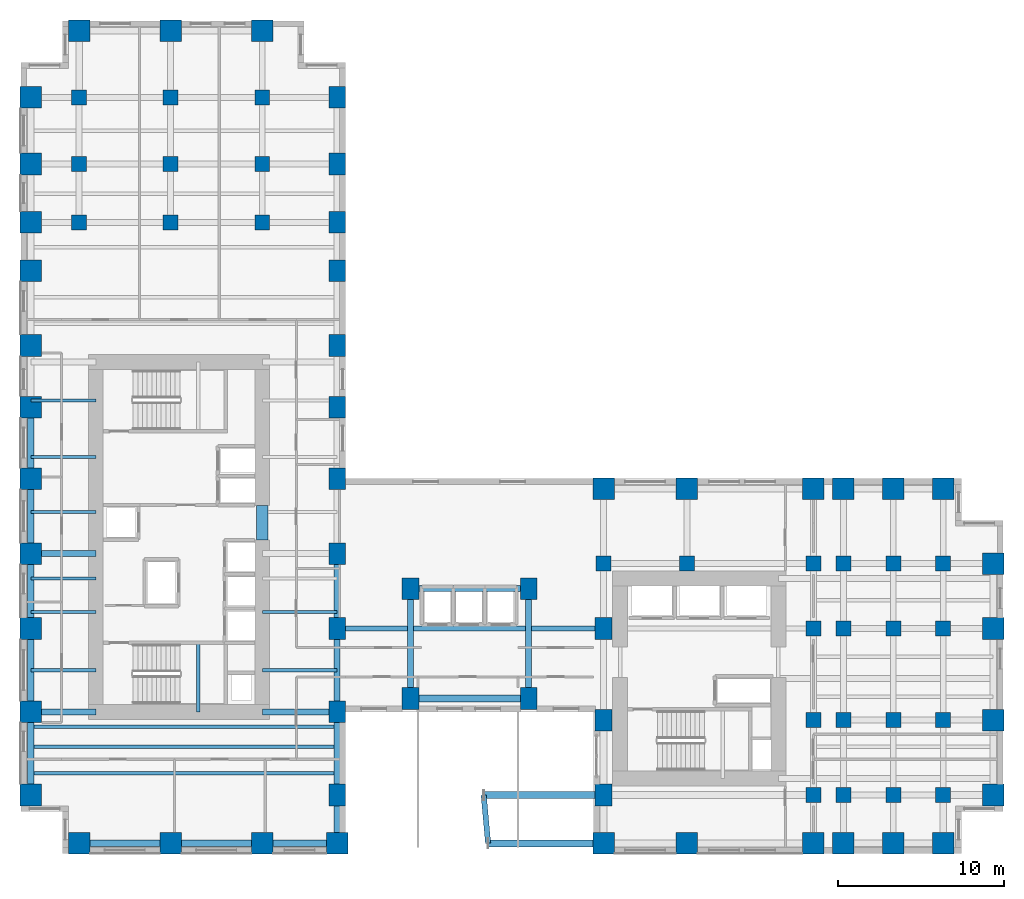
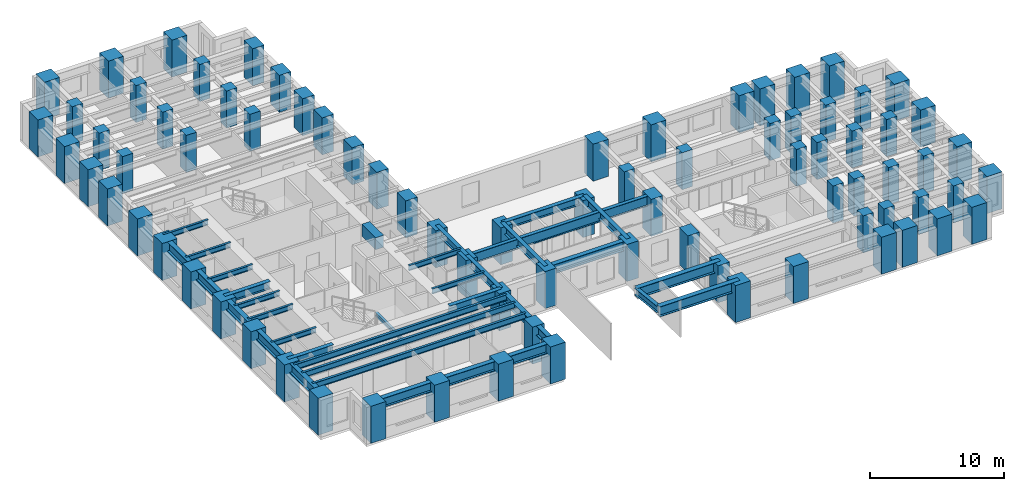
# One storey, part 1 of 14: 79 columns, 36 beams.
"""IFC4 building model written with IfcOpenShell, lengths in metres."""

import ifcopenshell
import ifcopenshell.guid

model = None  # the IFC model being written
_history = None  # IfcOwnerHistory: only IFC2X3 demands one
_inside = {}  # id of a spatial element -> (the spatial element, [elements in it])
_under = {}  # id of a project, library or spatial element -> (it, [spatial elements below it])
_declared = {}  # id of a project -> (the project, [libraries it declares])
_typed = {}  # id of a type object -> (the type object, [elements of that type])
_made_of = {}  # id of a material, layer set ... -> (it, [elements and type objects made of it])


def new_model(schema):
    """Start an empty IFC model of exactly this schema.

    Asked for "IFC4X3", IfcOpenShell would pick the latest addendum, in which some entities
    have other attributes; the version numbers below select the first issue.
    IFC2X3 requires an IfcOwnerHistory on every rooted entity: one is made here for all.
    """
    global model, _history
    if schema == "IFC4X3":
        model = ifcopenshell.file(schema_version=(4, 3, 0, 0))
    else:
        model = ifcopenshell.file(schema=schema)
    _inside.clear()
    _under.clear()
    _declared.clear()
    _typed.clear()
    _made_of.clear()
    _history = None
    if model.schema == "IFC2X3":
        org = make("IfcOrganization", Name="unknown")
        user = make(
            "IfcPersonAndOrganization",
            ThePerson=make("IfcPerson", FamilyName="unknown"),
            TheOrganization=org,
        )
        app = make(
            "IfcApplication",
            ApplicationDeveloper=org,
            Version="unknown",
            ApplicationFullName="unknown",
            ApplicationIdentifier="unknown",
        )
        _history = make(
            "IfcOwnerHistory",
            OwningUser=user,
            OwningApplication=app,
            ChangeAction="ADDED",
            CreationDate=0,
        )
    return model


def make(cls, **values):
    """One entity of the class cls with the attributes given. An attribute that is None is left unset."""
    return model.create_entity(
        cls, **{name: value for name, value in values.items() if value is not None}
    )


def rooted(cls, **values):
    """An entity with a GlobalId (a new one), such as an element, a storey or a relation."""
    return make(cls, GlobalId=ifcopenshell.guid.new(), OwnerHistory=_history, **values)


def si_unit(unit_type, name, prefix=None):
    """IfcSIUnit, for example si_unit("LENGTHUNIT", "METRE", prefix="MILLI")."""
    return make("IfcSIUnit", UnitType=unit_type, Prefix=prefix, Name=name)


def assignment(units):
    """IfcUnitAssignment: the units of a project."""
    return None if units is None else make("IfcUnitAssignment", Units=units)


def point(xyz):
    """IfcCartesianPoint."""
    return None if xyz is None else make("IfcCartesianPoint", Coordinates=xyz)


def direction(xyz):
    """IfcDirection."""
    return None if xyz is None else make("IfcDirection", DirectionRatios=xyz)


def frame(location, z_axis=None, x_axis=None):
    """IfcAxis2Placement3D, a coordinate frame: its origin and axes. An axis left out is left unset."""
    return make(
        "IfcAxis2Placement3D",
        Location=point(location),
        Axis=direction(z_axis),
        RefDirection=direction(x_axis),
    )


def frame_2d(location, x_axis=None):
    """IfcAxis2Placement2D, a coordinate frame in the plane: its origin and x axis."""
    return make(
        "IfcAxis2Placement2D", Location=point(location), RefDirection=direction(x_axis)
    )


def origin():
    """The frame at (0, 0, 0) with its axes left unset."""
    return frame((0.0, 0.0, 0.0))


def origin_2d():
    """The frame at (0, 0) in the plane with its x axis left unset."""
    return frame_2d((0.0, 0.0))


def place(relative_to, where):
    """IfcLocalPlacement: puts the frame where relative to a parent placement (None: the world)."""
    return make(
        "IfcLocalPlacement", PlacementRelTo=relative_to, RelativePlacement=where
    )


def context(
    kind, dimensions, precision=None, world=None, true_north=None, identifier=None
):
    """IfcGeometricRepresentationContext, for example the 3D "Model" context."""
    return make(
        "IfcGeometricRepresentationContext",
        ContextIdentifier=identifier,
        ContextType=kind,
        CoordinateSpaceDimension=dimensions,
        Precision=precision,
        WorldCoordinateSystem=world,
        TrueNorth=true_north,
    )


def subcontext(parent, identifier, kind, view, scale=None):
    """IfcGeometricRepresentationSubContext, for example "Body" below "Model"."""
    return make(
        "IfcGeometricRepresentationSubContext",
        ContextIdentifier=identifier,
        ContextType=kind,
        ParentContext=parent,
        TargetScale=scale,
        TargetView=view,
    )


def project(units=None, contexts=None):
    """IfcProject with its units and contexts."""
    return rooted(
        "IfcProject",
        Name="project",
        RepresentationContexts=contexts,
        UnitsInContext=assignment(units),
    )


def spatial(cls, under=None, at=None, **own):
    """A site, building, storey or space (cls), placed at a placement, below another one or the project."""
    s = rooted(cls, ObjectPlacement=at, **own)
    if under is not None:
        _under.setdefault(under.id(), (under, []))[1].append(s)
    return s


def profile(cls, at=None, kind="AREA", **sizes):
    """A parametric profile (cls). Its sizes go by their IFC names, for example OverallWidth=200.0."""
    return make(cls, ProfileType=kind, Position=at, **sizes)


def rectangle(**sizes):
    """IfcRectangleProfileDef."""
    return profile("IfcRectangleProfileDef", **sizes)


def i_section(**sizes):
    """IfcIShapeProfileDef."""
    return profile("IfcIShapeProfileDef", **sizes)


def extrude(swept, where, along, depth):
    """IfcExtrudedAreaSolid: the profile swept, set in the frame where, extruded along a direction by depth."""
    return make(
        "IfcExtrudedAreaSolid",
        SweptArea=swept,
        Position=where,
        ExtrudedDirection=direction(along),
        Depth=depth,
    )


def shape(context_of_items, identifier, shape_type, items):
    """IfcShapeRepresentation: the items that make up one representation, for example the "Body"."""
    return make(
        "IfcShapeRepresentation",
        ContextOfItems=context_of_items,
        RepresentationIdentifier=identifier,
        RepresentationType=shape_type,
        Items=items,
    )


def source(mapping_origin, context_of_items, identifier, shape_type, items):
    """IfcRepresentationMap: a shape defined once, which mapped items show again and again."""
    return make(
        "IfcRepresentationMap",
        MappingOrigin=mapping_origin,
        MappedRepresentation=shape(context_of_items, identifier, shape_type, items),
    )


def transform(
    local_origin,
    x_axis=None,
    y_axis=None,
    z_axis=None,
    scale=None,
    scale2=None,
    scale3=None,
    uniform=True,
):
    """IfcCartesianTransformationOperator3D, or its non-uniform kind. x_axis, y_axis, z_axis: its Axis1, 2, 3."""
    if uniform:
        return make(
            "IfcCartesianTransformationOperator3D",
            Axis1=direction(x_axis),
            Axis2=direction(y_axis),
            LocalOrigin=point(local_origin),
            Scale=scale,
            Axis3=direction(z_axis),
        )
    return make(
        "IfcCartesianTransformationOperator3DnonUniform",
        Axis1=direction(x_axis),
        Axis2=direction(y_axis),
        LocalOrigin=point(local_origin),
        Scale=scale,
        Axis3=direction(z_axis),
        Scale2=scale2,
        Scale3=scale3,
    )


def mapped(mapping_source, mapping_target):
    """IfcMappedItem: shows the shape of a source again, moved by a transform."""
    return make(
        "IfcMappedItem", MappingSource=mapping_source, MappingTarget=mapping_target
    )


def material(Name=None, Category=None):
    """IfcMaterial."""
    return make("IfcMaterial", Name=Name, Category=Category)


def material_profile(
    of_material, cross_section, Name=None, Category=None, Priority=None
):
    """IfcMaterialProfile: a cross section and its material."""
    return make(
        "IfcMaterialProfile",
        Name=Name,
        Material=of_material,
        Profile=cross_section,
        Priority=Priority,
        Category=Category,
    )


def profile_set(profiles, Name=None, composite=None):
    """IfcMaterialProfileSet."""
    return make(
        "IfcMaterialProfileSet",
        Name=Name,
        MaterialProfiles=profiles,
        CompositeProfile=composite,
    )


def made_of(thing, what):
    """Note that an element or type object is made of a material, layer set ...; save() writes the relation."""
    if what is not None:
        _made_of.setdefault(what.id(), (what, []))[1].append(thing)
    return thing


def type_object(cls, material=None, **own):
    """A type object (cls), such as IfcWallType, which elements share."""
    return made_of(rooted(cls, **own), material)


def element(
    cls,
    number,
    at=None,
    inside=None,
    cuts=None,
    type_object=None,
    material=None,
    context=None,
    identifier="Body",
    shape_type=None,
    held_by="IfcProductDefinitionShape",
    body=None,
    shapes=None,
    **own,
):
    """One element of the class cls, such as IfcWall. Its Tag is "e" and its number.

    at: its placement. inside: the storey or other place that contains it. cuts: it is an
    opening in that element (IfcRelVoidsElement). A single representation is given by context,
    identifier, shape_type and body (its items); several are given by shapes. held_by: the class
    of the entity that holds the representations. save() writes the other relations.
    """
    e = rooted(cls, Tag="e%d" % number, ObjectPlacement=at, **own)
    if body is not None:
        shapes = [shape(context, identifier, shape_type, body)]
    if shapes is not None:
        e.Representation = make(held_by, Representations=shapes)
    if inside is not None:
        _inside.setdefault(inside.id(), (inside, []))[1].append(e)
    if cuts is not None:
        rooted(
            "IfcRelVoidsElement", RelatingBuildingElement=cuts, RelatedOpeningElement=e
        )
    if type_object is not None:
        _typed.setdefault(type_object.id(), (type_object, []))[1].append(e)
    return made_of(e, material)


def aggregate(whole, parts):
    """IfcRelAggregates: a whole, such as a stair, and the parts it consists of."""
    return rooted("IfcRelAggregates", RelatingObject=whole, RelatedObjects=parts)


def save(model, path):
    """Write the relations noted so far, then the file.

    IfcRelAggregates (storeys below a building ...), IfcRelContainedInSpatialStructure (elements
    in a storey), IfcRelDefinesByType, IfcRelAssociatesMaterial and IfcRelDeclares: one each for
    every whole, place, type object, material and project.
    """
    for whole, parts in _under.values():
        aggregate(whole, parts)
    for where, things in _inside.values():
        rooted(
            "IfcRelContainedInSpatialStructure",
            RelatedElements=things,
            RelatingStructure=where,
        )
    for kind, things in _typed.values():
        rooted("IfcRelDefinesByType", RelatedObjects=things, RelatingType=kind)
    for what, things in _made_of.values():
        rooted("IfcRelAssociatesMaterial", RelatedObjects=things, RelatingMaterial=what)
    for by, libraries in _declared.values():
        rooted("IfcRelDeclares", RelatingContext=by, RelatedDefinitions=libraries)
    model.write(path)


model = new_model("IFC4")

# Units and contexts
model_context = context("Model", 3, precision=1e-05, world=origin(), true_north=direction((0.0, 1.0)))
body_context = subcontext(model_context, "Body", "Model", "MODEL_VIEW")
ifc_project = project(units=[si_unit("LENGTHUNIT", "METRE"), si_unit("AREAUNIT", "SQUARE_METRE"), si_unit("VOLUMEUNIT", "CUBIC_METRE"), si_unit("PLANEANGLEUNIT", "RADIAN"), si_unit("MASSUNIT", "GRAM", prefix="KILO")], contexts=[model_context])

# Site, building, storey
site_placement = place(None, origin())
site = spatial("IfcSite", under=ifc_project, at=site_placement, CompositionType="ELEMENT")
building_placement = place(site_placement, origin())
building = spatial("IfcBuilding", under=site, at=building_placement, Name="Kharzan Plaza Tower", CompositionType="ELEMENT")
storey_placement = place(building_placement, frame((0.0, 0.0, 58.5)))
storey = spatial("IfcBuildingStorey", under=building, at=storey_placement, Name="L15", CompositionType="ELEMENT", Elevation=58.5)

# Columns
ifc_material_1 = material(Name="Concrete C50/60", Category="concrete")
ifc_material_profile_1 = material_profile(ifc_material_1, rectangle(XDim=0.89990234375, YDim=0.89990234375, at=origin_2d()), Name="RC-IC900x900")
ifc_profile_set_1 = profile_set([ifc_material_profile_1], Name="Concrete C50/60")
column_type_1 = type_object("IfcColumnType", Name="COL-IC900", PredefinedType="COLUMN", material=ifc_profile_set_1)
shared_shape_1 = source(origin(), body_context, "Body", "SweptSolid", [
    extrude(rectangle(XDim=0.89990234375, YDim=0.89990234375, at=origin_2d()), origin(), (0.0, 0.0, 1.0), 3.3798828125),
])
for number, where, z_axis, x_axis, name in (
    (1, (47.60009765625, 13.5, 0.0), (0.0, 0.0, 1.0), (1.0, 0.0, 0.0), "L15 Structural Column TCBI-135"),
    (2, (47.60009765625, 3.5, 0.0), (0.0, 0.0, 1.0), (1.0, 0.0, 0.0), "L15 Structural Column TCBI-35"),
    (3, (47.60009765625, 8.0, 0.0), (0.0, 0.0, 1.0), (1.0, 0.0, 0.0), "L15 Structural Column TCBI-80"),
    (4, (35.0, 17.39990234375, 0.0), (0.0, 0.0, 1.0), (1.0, 0.0, 0.0), "L15 Structural Column TCBN-350-174"),
    (5, (40.0, 17.39990234375, 0.0), (0.0, 0.0, 1.0), (1.0, 0.0, 0.0), "L15 Structural Column TCBN-400-174"),
    (6, (47.60009765625, 17.39990234375, 0.0), (0.0, 0.0, 1.0), (1.0, 0.0, 0.0), "L15 Structural Column TCBN-476-174"),
    (7, (49.39990234375, 13.5, 0.0), (0.0, 0.0, 1.0), (1.0, 0.0, 0.0), "L15 Structural Column TCE-494-135"),
    (8, (49.39990234375, 17.39990234375, 0.0), (0.0, 0.0, 1.0), (1.0, 0.0, 0.0), "L15 Structural Column TCE-494-174"),
    (9, (49.39990234375, 3.5, 0.0), (0.0, 0.0, 1.0), (1.0, 0.0, 0.0), "L15 Structural Column TCE-494-35"),
    (10, (49.39990234375, 8.0, 0.0), (0.0, 0.0, 1.0), (1.0, 0.0, 0.0), "L15 Structural Column TCE-494-80"),
    (11, (52.39990234375, 13.5, 0.0), (0.0, 0.0, 1.0), (1.0, 0.0, 0.0), "L15 Structural Column TCE-524-135"),
    (12, (52.39990234375, 17.39990234375, 0.0), (0.0, 0.0, 1.0), (1.0, 0.0, 0.0), "L15 Structural Column TCE-524-174"),
    (13, (52.39990234375, 3.5, 0.0), (0.0, 0.0, 1.0), (1.0, 0.0, 0.0), "L15 Structural Column TCE-524-35"),
    (14, (52.39990234375, 8.0, 0.0), (0.0, 0.0, 1.0), (1.0, 0.0, 0.0), "L15 Structural Column TCE-524-80"),
    (15, (55.39990234375, 13.5, 0.0), (0.0, 0.0, 1.0), (1.0, 0.0, 0.0), "L15 Structural Column TCE-554-135"),
    (16, (55.39990234375, 17.39990234375, 0.0), (0.0, 0.0, 1.0), (1.0, 0.0, 0.0), "L15 Structural Column TCE-554-174"),
    (17, (55.39990234375, 3.5, 0.0), (0.0, 0.0, 1.0), (1.0, 0.0, 0.0), "L15 Structural Column TCE-554-35"),
    (18, (55.39990234375, 8.0, 0.0), (0.0, 0.0, 1.0), (1.0, 0.0, 0.0), "L15 Structural Column TCE-554-80"),
    (19, (14.5, 37.89990234375, 0.0), (0.0, 0.0, 1.0), (1.0, 0.0, 0.0), "L15 Structural Column TCN-145-379"),
    (20, (14.5, 41.39990234375, 0.0), (0.0, 0.0, 1.0), (1.0, 0.0, 0.0), "L15 Structural Column TCN-145-414"),
    (21, (14.5, 45.39990234375, 0.0), (0.0, 0.0, 1.0), (1.0, 0.0, 0.0), "L15 Structural Column TCN-145-454"),
    (22, (3.5, 37.89990234375, 0.0), (0.0, 0.0, 1.0), (1.0, 0.0, 0.0), "L15 Structural Column TCN-35-379"),
    (23, (3.5, 41.39990234375, 0.0), (0.0, 0.0, 1.0), (1.0, 0.0, 0.0), "L15 Structural Column TCN-35-414"),
    (24, (3.5, 45.39990234375, 0.0), (0.0, 0.0, 1.0), (1.0, 0.0, 0.0), "L15 Structural Column TCN-35-454"),
    (25, (9.0, 37.89990234375, 0.0), (0.0, 0.0, 1.0), (1.0, 0.0, 0.0), "L15 Structural Column TCN-90-379"),
    (26, (9.0, 41.39990234375, 0.0), (0.0, 0.0, 1.0), (1.0, 0.0, 0.0), "L15 Structural Column TCN-90-414"),
    (27, (9.0, 45.39990234375, 0.0), (0.0, 0.0, 1.0), (1.0, 0.0, 0.0), "L15 Structural Column TCN-90-454"),
):
    element("IfcColumn", number, at=place(storey_placement, frame(where, z_axis=z_axis, x_axis=x_axis)), inside=storey, type_object=column_type_1, Name=name, PredefinedType="COLUMN", context=body_context, shape_type="MappedRepresentation", body=[
        mapped(shared_shape_1, transform((0.0, 0.0, 0.0), x_axis=(1.0, 0.0, 0.0), y_axis=(0.0, 1.0, 0.0), z_axis=(0.0, 0.0, 1.0))),
    ])
ifc_material_2 = material(Name="Concrete C60/75", Category="concrete")
ifc_material_profile_2 = material_profile(ifc_material_2, rectangle(XDim=1.0, YDim=1.300048828125, at=origin_2d()), Name="RC-SC1300x1000")
ifc_profile_set_2 = profile_set([ifc_material_profile_2], Name="Concrete C60/75")
column_type_2 = type_object("IfcColumnType", Name="COL-SC1300", PredefinedType="COLUMN", material=ifc_profile_set_2)
shared_shape_2 = source(origin(), body_context, "Body", "SweptSolid", [
    extrude(rectangle(XDim=1.0, YDim=1.300048828125, at=origin_2d()), origin(), (0.0, 0.0, 1.0), 3.3798828125),
])
for number, where, z_axis, x_axis, name in (
    (28, (19.0, 13.5, 0.0), (0.0, 0.0, 1.0), (1.0, 0.0, 0.0), "L15 Structural Column TCA-135"),
    (29, (19.0, 18.0, 0.0), (0.0, 0.0, 1.0), (1.0, 0.0, 0.0), "L15 Structural Column TCA-180"),
    (30, (19.0, 22.5, 0.0), (0.0, 0.0, 1.0), (1.0, 0.0, 0.0), "L15 Structural Column TCA-225"),
    (31, (19.0, 26.800048828125, 0.0), (0.0, 0.0, 1.0), (1.0, 0.0, 0.0), "L15 Structural Column TCA-268"),
    (32, (19.0, 30.5, 0.0), (0.0, 0.0, 1.0), (1.0, 0.0, 0.0), "L15 Structural Column TCA-305"),
    (33, (19.0, 3.5, 0.0), (0.0, 0.0, 1.0), (1.0, 0.0, 0.0), "L15 Structural Column TCA-35"),
    (34, (19.0, 35.0, 0.0), (0.0, 0.0, 1.0), (1.0, 0.0, 0.0), "L15 Structural Column TCA-350"),
    (35, (19.0, 37.89990234375, 0.0), (0.0, 0.0, 1.0), (1.0, 0.0, 0.0), "L15 Structural Column TCA-379"),
    (36, (19.0, 41.39990234375, 0.0), (0.0, 0.0, 1.0), (1.0, 0.0, 0.0), "L15 Structural Column TCA-414"),
    (37, (19.0, 45.39990234375, 0.0), (0.0, 0.0, 1.0), (1.0, 0.0, 0.0), "L15 Structural Column TCA-454"),
    (38, (19.0, 8.5, 0.0), (0.0, 0.0, 1.0), (1.0, 0.0, 0.0), "L15 Structural Column TCA-85"),
    (39, (35.0, 13.5, 0.0), (0.0, 0.0, 1.0), (1.0, 0.0, 0.0), "L15 Structural Column TCBS-135"),
    (40, (35.0, 3.5, 0.0), (0.0, 0.0, 1.0), (1.0, 0.0, 0.0), "L15 Structural Column TCBS-35"),
    (41, (35.0, 8.0, 0.0), (0.0, 0.0, 1.0), (1.0, 0.0, 0.0), "L15 Structural Column TCBS-80"),
    (42, (23.39990234375, 15.89990234375, 0.0), (0.0, 0.0, 1.0), (1.0, 0.0, 0.0), "L15 Structural Column TCSP-234-159"),
    (43, (23.39990234375, 9.300048828125, 0.0), (0.0, 0.0, 1.0), (1.0, 0.0, 0.0), "L15 Structural Column TCSP-234-93"),
    (44, (30.5, 15.89990234375, 0.0), (0.0, 0.0, 1.0), (1.0, 0.0, 0.0), "L15 Structural Column TCSP-305-159"),
    (45, (30.5, 9.300048828125, 0.0), (0.0, 0.0, 1.0), (1.0, 0.0, 0.0), "L15 Structural Column TCSP-305-93"),
):
    element("IfcColumn", number, at=place(storey_placement, frame(where, z_axis=z_axis, x_axis=x_axis)), inside=storey, type_object=column_type_2, Name=name, PredefinedType="COLUMN", context=body_context, shape_type="MappedRepresentation", body=[
        mapped(shared_shape_2, transform((0.0, 0.0, 0.0), x_axis=(1.0, 0.0, 0.0), y_axis=(0.0, 1.0, 0.0), z_axis=(0.0, 0.0, 1.0))),
    ])
ifc_material_profile_3 = material_profile(ifc_material_2, rectangle(XDim=1.300048828125, YDim=1.300048828125, at=origin_2d()), Name="RC-TC1300x1300")
ifc_profile_set_3 = profile_set([ifc_material_profile_3], Name="Concrete C60/75")
column_type_3 = type_object("IfcColumnType", Name="COL-TC1300", PredefinedType="COLUMN", material=ifc_profile_set_3)
shared_shape_3 = source(origin(), body_context, "Body", "SweptSolid", [
    extrude(rectangle(XDim=1.300048828125, YDim=1.300048828125, at=origin_2d()), origin(), (0.0, 0.0, 1.0), 3.3798828125),
])
for number, where, z_axis, x_axis, name in (
    (46, (35.0, 21.89990234375, 0.0), (0.0, 0.0, 1.0), (1.0, 0.0, 0.0), "L15 Structural Column TCBN-350-219"),
    (47, (40.0, 21.89990234375, 0.0), (0.0, 0.0, 1.0), (1.0, 0.0, 0.0), "L15 Structural Column TCBN-400-219"),
    (48, (47.60009765625, 21.89990234375, 0.0), (0.0, 0.0, 1.0), (1.0, 0.0, 0.0), "L15 Structural Column TCBN-476-219"),
    (49, (49.39990234375, 21.89990234375, 0.0), (0.0, 0.0, 1.0), (1.0, 0.0, 0.0), "L15 Structural Column TCBN-494-219"),
    (50, (52.39990234375, 21.89990234375, 0.0), (0.0, 0.0, 1.0), (1.0, 0.0, 0.0), "L15 Structural Column TCBN-524-219"),
    (51, (55.39990234375, 21.89990234375, 0.0), (0.0, 0.0, 1.0), (1.0, 0.0, 0.0), "L15 Structural Column TCBN-554-219"),
    (52, (58.39990234375, 13.5, 0.0), (0.0, 0.0, 1.0), (1.0, 0.0, 0.0), "L15 Structural Column TCE-584-135"),
    (53, (58.39990234375, 17.39990234375, 0.0), (0.0, 0.0, 1.0), (1.0, 0.0, 0.0), "L15 Structural Column TCE-584-174"),
    (54, (58.39990234375, 3.5, 0.0), (0.0, 0.0, 1.0), (1.0, 0.0, 0.0), "L15 Structural Column TCE-584-35"),
    (55, (58.39990234375, 8.0, 0.0), (0.0, 0.0, 1.0), (1.0, 0.0, 0.0), "L15 Structural Column TCE-584-80"),
    (56, (14.5, 49.39990234375, 0.0), (0.0, 0.0, 1.0), (1.0, 0.0, 0.0), "L15 Structural Column TCN-145-494"),
    (57, (3.5, 49.39990234375, 0.0), (0.0, 0.0, 1.0), (1.0, 0.0, 0.0), "L15 Structural Column TCN-35-494"),
    (58, (9.0, 49.39990234375, 0.0), (0.0, 0.0, 1.0), (1.0, 0.0, 0.0), "L15 Structural Column TCN-90-494"),
    (59, (14.5, 0.60009765625, 0.0), (0.0, 0.0, 1.0), (1.0, 0.0, 0.0), "L15 Structural Column TCS-145"),
    (60, (19.0, 0.60009765625, 0.0), (0.0, 0.0, 1.0), (1.0, 0.0, 0.0), "L15 Structural Column TCS-190"),
    (61, (3.5, 0.60009765625, 0.0), (0.0, 0.0, 1.0), (1.0, 0.0, 0.0), "L15 Structural Column TCS-35"),
    (62, (35.0, 0.60009765625, 0.0), (0.0, 0.0, 1.0), (1.0, 0.0, 0.0), "L15 Structural Column TCS-350"),
    (63, (40.0, 0.60009765625, 0.0), (0.0, 0.0, 1.0), (1.0, 0.0, 0.0), "L15 Structural Column TCS-400"),
    (64, (47.60009765625, 0.60009765625, 0.0), (0.0, 0.0, 1.0), (1.0, 0.0, 0.0), "L15 Structural Column TCS-476"),
    (65, (49.39990234375, 0.60009765625, 0.0), (0.0, 0.0, 1.0), (1.0, 0.0, 0.0), "L15 Structural Column TCS-494"),
    (66, (52.39990234375, 0.60009765625, 0.0), (0.0, 0.0, 1.0), (1.0, 0.0, 0.0), "L15 Structural Column TCS-524"),
    (67, (55.39990234375, 0.60009765625, 0.0), (0.0, 0.0, 1.0), (1.0, 0.0, 0.0), "L15 Structural Column TCS-554"),
    (68, (9.0, 0.60009765625, 0.0), (0.0, 0.0, 1.0), (1.0, 0.0, 0.0), "L15 Structural Column TCS-90"),
    (69, (0.60009765625, 13.5, 0.0), (0.0, 0.0, 1.0), (1.0, 0.0, 0.0), "L15 Structural Column TCW-135"),
    (70, (0.60009765625, 18.0, 0.0), (0.0, 0.0, 1.0), (1.0, 0.0, 0.0), "L15 Structural Column TCW-180"),
    (71, (0.60009765625, 22.5, 0.0), (0.0, 0.0, 1.0), (1.0, 0.0, 0.0), "L15 Structural Column TCW-225"),
    (72, (0.60009765625, 26.800048828125, 0.0), (0.0, 0.0, 1.0), (1.0, 0.0, 0.0), "L15 Structural Column TCW-268"),
    (73, (0.60009765625, 30.5, 0.0), (0.0, 0.0, 1.0), (1.0, 0.0, 0.0), "L15 Structural Column TCW-305"),
    (74, (0.60009765625, 3.5, 0.0), (0.0, 0.0, 1.0), (1.0, 0.0, 0.0), "L15 Structural Column TCW-35"),
    (75, (0.60009765625, 35.0, 0.0), (0.0, 0.0, 1.0), (1.0, 0.0, 0.0), "L15 Structural Column TCW-350"),
    (76, (0.60009765625, 37.89990234375, 0.0), (0.0, 0.0, 1.0), (1.0, 0.0, 0.0), "L15 Structural Column TCW-379"),
    (77, (0.60009765625, 41.39990234375, 0.0), (0.0, 0.0, 1.0), (1.0, 0.0, 0.0), "L15 Structural Column TCW-414"),
    (78, (0.60009765625, 45.39990234375, 0.0), (0.0, 0.0, 1.0), (1.0, 0.0, 0.0), "L15 Structural Column TCW-454"),
    (79, (0.60009765625, 8.5, 0.0), (0.0, 0.0, 1.0), (1.0, 0.0, 0.0), "L15 Structural Column TCW-85"),
):
    element("IfcColumn", number, at=place(storey_placement, frame(where, z_axis=z_axis, x_axis=x_axis)), inside=storey, type_object=column_type_3, Name=name, PredefinedType="COLUMN", context=body_context, shape_type="MappedRepresentation", body=[
        mapped(shared_shape_3, transform((0.0, 0.0, 0.0), x_axis=(1.0, 0.0, 0.0), y_axis=(0.0, 1.0, 0.0), z_axis=(0.0, 0.0, 1.0))),
    ])

# Beams
ifc_material_profile_4 = material_profile(ifc_material_2, rectangle(XDim=0.699951171875, YDim=1.10009765625, at=origin_2d()), Name="RC-CB1100x700")
ifc_profile_set_4 = profile_set([ifc_material_profile_4], Name="Concrete C60/75")
beam_type_1 = type_object("IfcBeamType", Name="BM-RCCB1100", PredefinedType="LINTEL", material=ifc_profile_set_4)
shared_shape_4 = source(origin(), body_context, "Body", "SweptSolid", [
    extrude(rectangle(XDim=0.699951171875, YDim=1.10009765625, at=origin_2d()), origin(), (0.0, 0.0, 1.0), 2.059814453125),
])
beam_1_placement = place(storey_placement, frame((14.5, 18.820068359375, 2.830078125), z_axis=(0.0, 1.0, 0.0), x_axis=(-1.0, 0.0, 0.0)))
element("IfcBeam", 80, at=beam_1_placement, inside=storey, type_object=beam_type_1, Name="L15 CORE-A RC coupling beam CB1", PredefinedType="LINTEL", context=body_context, shape_type="MappedRepresentation", body=[
    mapped(shared_shape_4, transform((0.0, 0.0, 0.0), x_axis=(1.0, 0.0, 0.0), y_axis=(0.0, 1.0, 0.0), z_axis=(0.0, 0.0, 1.0))),
])
ifc_material_3 = material(Name="Steel S355", Category="steel")
ifc_material_profile_5 = material_profile(ifc_material_3, i_section(OverallWidth=0.205078125, OverallDepth=0.35400390625, WebThickness=0.009521484375, FlangeThickness=0.016845703125, at=origin_2d()), Name="W360x79")
ifc_profile_set_5 = profile_set([ifc_material_profile_5], Name="Steel S355")
beam_type_2 = type_object("IfcBeamType", Name="BM-LNT360", PredefinedType="LINTEL", material=ifc_profile_set_5)
shared_shape_5 = source(origin(), body_context, "Body", "SweptSolid", [
    extrude(i_section(OverallWidth=0.205078125, OverallDepth=0.35400390625, WebThickness=0.009521484375, FlangeThickness=0.016845703125, at=origin_2d()), origin(), (0.0, 0.0, 1.0), 4.155029296875),
])
beam_2_placement = place(storey_placement, frame((10.64990234375, 8.5, 1.423095703125), z_axis=(0.0, 1.0, 0.0), x_axis=(-1.0, 0.0, 0.0)))
element("IfcBeam", 81, at=beam_2_placement, inside=storey, type_object=beam_type_2, Name="L15 Stair ST-1 Half-Landing Beam", PredefinedType="LINTEL", context=body_context, shape_type="MappedRepresentation", body=[
    mapped(shared_shape_5, transform((0.0, 0.0, 0.0), x_axis=(1.0, 0.0, 0.0), y_axis=(0.0, 1.0, 0.0), z_axis=(0.0, 0.0, 1.0))),
])
ifc_material_profile_6 = material_profile(ifc_material_3, i_section(OverallWidth=0.304931640625, OverallDepth=0.9189453125, WebThickness=0.017333984375, FlangeThickness=0.02783203125, at=origin_2d()), Name="W920x253")
ifc_profile_set_6 = profile_set([ifc_material_profile_6], Name="Steel S355")
beam_type_3 = type_object("IfcBeamType", Name="BM-FG920B", PredefinedType="BEAM", material=ifc_profile_set_6)
shared_shape_6 = source(origin(), body_context, "Body", "SweptSolid", [
    extrude(i_section(OverallWidth=0.304931640625, OverallDepth=0.9189453125, WebThickness=0.017333984375, FlangeThickness=0.02783203125, at=origin_2d()), origin(), (0.0, 0.0, 1.0), 16.0),
])
beam_3_placement = place(storey_placement, frame((19.0, 13.5, 2.92041015625), z_axis=(1.0, 0.0, 0.0), x_axis=(0.0, 1.0, 0.0)))
element("IfcBeam", 82, at=beam_3_placement, inside=storey, type_object=beam_type_3, Name="L15 Primary Floor Girder", PredefinedType="BEAM", context=body_context, shape_type="MappedRepresentation", body=[
    mapped(shared_shape_6, transform((0.0, 0.0, 0.0), x_axis=(1.0, 0.0, 0.0), y_axis=(0.0, 1.0, 0.0), z_axis=(0.0, 0.0, 1.0))),
])
ifc_material_profile_7 = material_profile(ifc_material_3, i_section(OverallWidth=0.35498046875, OverallDepth=0.695068359375, WebThickness=0.015380859375, FlangeThickness=0.02490234375, at=origin_2d()), Name="W690x217")
ifc_profile_set_7 = profile_set([ifc_material_profile_7], Name="Steel S355")
beam_type_4 = type_object("IfcBeamType", Name="BM-FG690A", PredefinedType="BEAM", material=ifc_profile_set_7)
shared_shape_7 = source(origin(), body_context, "Body", "SweptSolid", [
    extrude(i_section(OverallWidth=0.35498046875, OverallDepth=0.695068359375, WebThickness=0.015380859375, FlangeThickness=0.02490234375, at=origin_2d()), origin(), (0.0, 0.0, 1.0), 4.5),
])
for number, where, z_axis, x_axis, name in (
    (83, (14.5, 8.5, 3.032470703125), (1.0, 0.0, 0.0), (0.0, 1.0, 0.0), "L15 Core-A East Floor Girder 1"),
    (84, (19.0, 13.5, 3.032470703125), (0.0, 1.0, 0.0), (-1.0, 0.0, 0.0), "L15 Interior Frame Girder"),
):
    element("IfcBeam", number, at=place(storey_placement, frame(where, z_axis=z_axis, x_axis=x_axis)), inside=storey, type_object=beam_type_4, Name=name, PredefinedType="BEAM", context=body_context, shape_type="MappedRepresentation", body=[
        mapped(shared_shape_7, transform((0.0, 0.0, 0.0), x_axis=(1.0, 0.0, 0.0), y_axis=(0.0, 1.0, 0.0), z_axis=(0.0, 0.0, 1.0))),
    ])
shared_shape_8 = source(origin(), body_context, "Body", "SweptSolid", [
    extrude(i_section(OverallWidth=0.35498046875, OverallDepth=0.695068359375, WebThickness=0.015380859375, FlangeThickness=0.02490234375, at=origin_2d()), origin(), (0.0, 0.0, 1.0), 3.89990234375),
])
for number, where, z_axis, x_axis, name in (
    (85, (0.60009765625, 8.5, 3.032470703125), (1.0, 0.0, 0.0), (0.0, 1.0, 0.0), "L15 Core-A West Floor Girder 1"),
    (86, (0.60009765625, 18.0, 3.032470703125), (1.0, 0.0, 0.0), (0.0, 1.0, 0.0), "L15 Core-A West Floor Girder 2"),
):
    element("IfcBeam", number, at=place(storey_placement, frame(where, z_axis=z_axis, x_axis=x_axis)), inside=storey, type_object=beam_type_4, Name=name, PredefinedType="BEAM", context=body_context, shape_type="MappedRepresentation", body=[
        mapped(shared_shape_8, transform((0.0, 0.0, 0.0), x_axis=(1.0, 0.0, 0.0), y_axis=(0.0, 1.0, 0.0), z_axis=(0.0, 0.0, 1.0))),
    ])
shared_shape_9 = source(origin(), body_context, "Body", "SweptSolid", [
    extrude(i_section(OverallWidth=0.35498046875, OverallDepth=0.695068359375, WebThickness=0.015380859375, FlangeThickness=0.02490234375, at=origin_2d()), origin(), (0.0, 0.0, 1.0), 5.0),
])
beam_4_placement = place(storey_placement, frame((19.0, 8.5, 3.032470703125), z_axis=(0.0, 1.0, 0.0), x_axis=(-1.0, 0.0, 0.0)))
element("IfcBeam", 87, at=beam_4_placement, inside=storey, type_object=beam_type_4, Name="L15 Interior Frame Girder", PredefinedType="BEAM", context=body_context, shape_type="MappedRepresentation", body=[
    mapped(shared_shape_9, transform((0.0, 0.0, 0.0), x_axis=(1.0, 0.0, 0.0), y_axis=(0.0, 1.0, 0.0), z_axis=(0.0, 0.0, 1.0))),
])
shared_shape_10 = source(origin(), body_context, "Body", "SweptSolid", [
    extrude(i_section(OverallWidth=0.35498046875, OverallDepth=0.695068359375, WebThickness=0.015380859375, FlangeThickness=0.02490234375, at=origin_2d()), origin(), (0.0, 0.0, 1.0), 6.599853515625),
])
for number, where, z_axis, x_axis, name in (
    (88, (23.39990234375, 9.300048828125, 3.032470703125), (0.0, 1.0, 0.0), (-1.0, 0.0, 0.0), "L15 Interior Frame Girder"),
    (89, (30.5, 9.300048828125, 3.032470703125), (0.0, 1.0, 0.0), (-1.0, 0.0, 0.0), "L15 Interior Frame Girder"),
):
    element("IfcBeam", number, at=place(storey_placement, frame(where, z_axis=z_axis, x_axis=x_axis)), inside=storey, type_object=beam_type_4, Name=name, PredefinedType="BEAM", context=body_context, shape_type="MappedRepresentation", body=[
        mapped(shared_shape_10, transform((0.0, 0.0, 0.0), x_axis=(1.0, 0.0, 0.0), y_axis=(0.0, 1.0, 0.0), z_axis=(0.0, 0.0, 1.0))),
    ])
shared_shape_11 = source(origin(), body_context, "Body", "SweptSolid", [
    extrude(i_section(OverallWidth=0.35498046875, OverallDepth=0.695068359375, WebThickness=0.015380859375, FlangeThickness=0.02490234375, at=origin_2d()), origin(), (0.0, 0.0, 1.0), 7.10009765625),
])
beam_5_placement = place(storey_placement, frame((23.39990234375, 15.89990234375, 3.032470703125), z_axis=(1.0, 0.0, 0.0), x_axis=(0.0, 1.0, 0.0)))
element("IfcBeam", 90, at=beam_5_placement, inside=storey, type_object=beam_type_4, Name="L15 Primary Floor Girder", PredefinedType="BEAM", context=body_context, shape_type="MappedRepresentation", body=[
    mapped(shared_shape_11, transform((0.0, 0.0, 0.0), x_axis=(1.0, 0.0, 0.0), y_axis=(0.0, 1.0, 0.0), z_axis=(0.0, 0.0, 1.0))),
])
ifc_material_profile_8 = material_profile(ifc_material_3, i_section(OverallWidth=0.2099609375, OverallDepth=0.537109375, WebThickness=0.010986328125, FlangeThickness=0.017333984375, at=origin_2d()), Name="W530x101")
ifc_profile_set_8 = profile_set([ifc_material_profile_8], Name="Steel S355")
beam_type_5 = type_object("IfcBeamType", Name="BM-JST530B", PredefinedType="JOIST", material=ifc_profile_set_8)
shared_shape_12 = source(origin(), body_context, "Body", "SweptSolid", [
    extrude(i_section(OverallWidth=0.2099609375, OverallDepth=0.537109375, WebThickness=0.010986328125, FlangeThickness=0.017333984375, at=origin_2d()), origin(), (0.0, 0.0, 1.0), 18.39990234375),
])
for number, where, z_axis, x_axis, name in (
    (91, (0.60009765625, 4.800048828125, 3.111572265625), (1.0, 0.0, 0.0), (0.0, 1.0, 0.0), "L15 Wing A Composite Joist 01"),
    (92, (0.60009765625, 6.39990234375, 3.111572265625), (1.0, 0.0, 0.0), (0.0, 1.0, 0.0), "L15 Wing A Composite Joist 02"),
    (93, (0.60009765625, 7.60009765625, 3.111572265625), (1.0, 0.0, 0.0), (0.0, 1.0, 0.0), "L15 Wing A Composite Joist 03"),
):
    element("IfcBeam", number, at=place(storey_placement, frame(where, z_axis=z_axis, x_axis=x_axis)), inside=storey, type_object=beam_type_5, Name=name, PredefinedType="JOIST", context=body_context, shape_type="MappedRepresentation", body=[
        mapped(shared_shape_12, transform((0.0, 0.0, 0.0), x_axis=(1.0, 0.0, 0.0), y_axis=(0.0, 1.0, 0.0), z_axis=(0.0, 0.0, 1.0))),
    ])
ifc_material_profile_9 = material_profile(ifc_material_3, i_section(OverallWidth=0.194091796875, OverallDepth=0.468994140625, WebThickness=0.011474609375, FlangeThickness=0.0205078125, at=origin_2d()), Name="W460x106")
ifc_profile_set_9 = profile_set([ifc_material_profile_9], Name="Steel S355")
beam_type_6 = type_object("IfcBeamType", Name="BM-JST460", PredefinedType="JOIST", material=ifc_profile_set_9)
shared_shape_13 = source(origin(), body_context, "Body", "SweptSolid", [
    extrude(i_section(OverallWidth=0.194091796875, OverallDepth=0.468994140625, WebThickness=0.011474609375, FlangeThickness=0.0205078125, at=origin_2d()), origin(), (0.0, 0.0, 1.0), 4.5),
])
for number, where, z_axis, x_axis, name in (
    (94, (14.5, 11.0, 3.1455078125), (1.0, 0.0, 0.0), (0.0, 1.0, 0.0), "L15 Wing A East Infill Joist 1"),
    (95, (14.5, 14.5, 3.1455078125), (1.0, 0.0, 0.0), (0.0, 1.0, 0.0), "L15 Wing A East Infill Joist 2"),
):
    element("IfcBeam", number, at=place(storey_placement, frame(where, z_axis=z_axis, x_axis=x_axis)), inside=storey, type_object=beam_type_6, Name=name, PredefinedType="JOIST", context=body_context, shape_type="MappedRepresentation", body=[
        mapped(shared_shape_13, transform((0.0, 0.0, 0.0), x_axis=(1.0, 0.0, 0.0), y_axis=(0.0, 1.0, 0.0), z_axis=(0.0, 0.0, 1.0))),
    ])
shared_shape_14 = source(origin(), body_context, "Body", "SweptSolid", [
    extrude(i_section(OverallWidth=0.194091796875, OverallDepth=0.468994140625, WebThickness=0.011474609375, FlangeThickness=0.0205078125, at=origin_2d()), origin(), (0.0, 0.0, 1.0), 3.89990234375),
])
for number, where, z_axis, x_axis, name in (
    (96, (0.60009765625, 11.0, 3.1455078125), (1.0, 0.0, 0.0), (0.0, 1.0, 0.0), "L15 Wing A West Infill Joist 1"),
    (97, (0.60009765625, 14.5, 3.1455078125), (1.0, 0.0, 0.0), (0.0, 1.0, 0.0), "L15 Wing A West Infill Joist 2"),
    (98, (0.60009765625, 16.5, 3.1455078125), (1.0, 0.0, 0.0), (0.0, 1.0, 0.0), "L15 Wing A West Infill Joist 3"),
    (99, (0.60009765625, 20.5, 3.1455078125), (1.0, 0.0, 0.0), (0.0, 1.0, 0.0), "L15 Wing A West Infill Joist 4"),
    (100, (0.60009765625, 23.800048828125, 3.1455078125), (1.0, 0.0, 0.0), (0.0, 1.0, 0.0), "L15 Wing A West Infill Joist 5"),
    (101, (0.60009765625, 27.199951171875, 3.1455078125), (1.0, 0.0, 0.0), (0.0, 1.0, 0.0), "L15 Wing A West Infill Joist 6"),
):
    element("IfcBeam", number, at=place(storey_placement, frame(where, z_axis=z_axis, x_axis=x_axis)), inside=storey, type_object=beam_type_6, Name=name, PredefinedType="JOIST", context=body_context, shape_type="MappedRepresentation", body=[
        mapped(shared_shape_14, transform((0.0, 0.0, 0.0), x_axis=(1.0, 0.0, 0.0), y_axis=(0.0, 1.0, 0.0), z_axis=(0.0, 0.0, 1.0))),
    ])
ifc_material_profile_10 = material_profile(ifc_material_3, i_section(OverallWidth=0.40087890625, OverallDepth=0.85498046875, WebThickness=0.018310546875, FlangeThickness=0.029296875, at=origin_2d()), Name="W840x299")
ifc_profile_set_10 = profile_set([ifc_material_profile_10], Name="Steel S355")
beam_type_7 = type_object("IfcBeamType", Name="BM-SP840A", PredefinedType="SPANDREL", material=ifc_profile_set_10)
shared_shape_15 = source(origin(), body_context, "Body", "SweptSolid", [
    extrude(i_section(OverallWidth=0.40087890625, OverallDepth=0.85498046875, WebThickness=0.018310546875, FlangeThickness=0.029296875, at=origin_2d()), origin(), (0.0, 0.0, 1.0), 5.0),
])
for number, where, z_axis, x_axis, name in (
    (102, (0.60009765625, 3.5, 2.952392578125), (0.0, 1.0, 0.0), (-1.0, 0.0, 0.0), "L15 Perimeter Tube Spandrel"),
    (103, (0.60009765625, 8.5, 2.952392578125), (0.0, 1.0, 0.0), (-1.0, 0.0, 0.0), "L15 Perimeter Tube Spandrel"),
    (104, (19.0, 3.5, 2.952392578125), (0.0, 1.0, 0.0), (-1.0, 0.0, 0.0), "L15 Perimeter Tube Spandrel"),
):
    element("IfcBeam", number, at=place(storey_placement, frame(where, z_axis=z_axis, x_axis=x_axis)), inside=storey, type_object=beam_type_7, Name=name, PredefinedType="SPANDREL", context=body_context, shape_type="MappedRepresentation", body=[
        mapped(shared_shape_15, transform((0.0, 0.0, 0.0), x_axis=(1.0, 0.0, 0.0), y_axis=(0.0, 1.0, 0.0), z_axis=(0.0, 0.0, 1.0))),
    ])
shared_shape_16 = source(origin(), body_context, "Body", "SweptSolid", [
    extrude(i_section(OverallWidth=0.40087890625, OverallDepth=0.85498046875, WebThickness=0.018310546875, FlangeThickness=0.029296875, at=origin_2d()), origin(), (0.0, 0.0, 1.0), 4.5),
])
for number, where, z_axis, x_axis, name in (
    (105, (0.60009765625, 13.5, 2.952392578125), (0.0, 1.0, 0.0), (-1.0, 0.0, 0.0), "L15 Perimeter Tube Spandrel"),
    (106, (0.60009765625, 18.0, 2.952392578125), (0.0, 1.0, 0.0), (-1.0, 0.0, 0.0), "L15 Perimeter Tube Spandrel"),
    (107, (14.5, 0.60009765625, 2.952392578125), (1.0, 0.0, 0.0), (0.0, 1.0, 0.0), "L15 Perimeter Tube Spandrel"),
):
    element("IfcBeam", number, at=place(storey_placement, frame(where, z_axis=z_axis, x_axis=x_axis)), inside=storey, type_object=beam_type_7, Name=name, PredefinedType="SPANDREL", context=body_context, shape_type="MappedRepresentation", body=[
        mapped(shared_shape_16, transform((0.0, 0.0, 0.0), x_axis=(1.0, 0.0, 0.0), y_axis=(0.0, 1.0, 0.0), z_axis=(0.0, 0.0, 1.0))),
    ])
shared_shape_17 = source(origin(), body_context, "Body", "SweptSolid", [
    extrude(i_section(OverallWidth=0.40087890625, OverallDepth=0.85498046875, WebThickness=0.018310546875, FlangeThickness=0.029296875, at=origin_2d()), origin(), (0.0, 0.0, 1.0), 4.300048828125),
])
beam_6_placement = place(storey_placement, frame((0.60009765625, 22.5, 2.952392578125), z_axis=(0.0, 1.0, 0.0), x_axis=(-1.0, 0.0, 0.0)))
element("IfcBeam", 108, at=beam_6_placement, inside=storey, type_object=beam_type_7, Name="L15 Perimeter Tube Spandrel", PredefinedType="SPANDREL", context=body_context, shape_type="MappedRepresentation", body=[
    mapped(shared_shape_17, transform((0.0, 0.0, 0.0), x_axis=(1.0, 0.0, 0.0), y_axis=(0.0, 1.0, 0.0), z_axis=(0.0, 0.0, 1.0))),
])
shared_shape_18 = source(origin(), body_context, "Body", "SweptSolid", [
    extrude(i_section(OverallWidth=0.40087890625, OverallDepth=0.85498046875, WebThickness=0.018310546875, FlangeThickness=0.029296875, at=origin_2d()), origin(), (0.0, 0.0, 1.0), 2.89990234375),
])
beam_7_placement = place(storey_placement, frame((19.0, 0.60009765625, 2.952392578125), z_axis=(0.0, 1.0, 0.0), x_axis=(-1.0, 0.0, 0.0)))
element("IfcBeam", 109, at=beam_7_placement, inside=storey, type_object=beam_type_7, Name="L15 Perimeter Tube Spandrel", PredefinedType="SPANDREL", context=body_context, shape_type="MappedRepresentation", body=[
    mapped(shared_shape_18, transform((0.0, 0.0, 0.0), x_axis=(1.0, 0.0, 0.0), y_axis=(0.0, 1.0, 0.0), z_axis=(0.0, 0.0, 1.0))),
])
shared_shape_19 = source(origin(), body_context, "Body", "SweptSolid", [
    extrude(i_section(OverallWidth=0.40087890625, OverallDepth=0.85498046875, WebThickness=0.018310546875, FlangeThickness=0.029296875, at=origin_2d()), origin(), (0.0, 0.0, 1.0), 5.5),
])
for number, where, z_axis, x_axis, name in (
    (110, (3.5, 0.60009765625, 2.952392578125), (1.0, 0.0, 0.0), (0.0, 1.0, 0.0), "L15 Perimeter Tube Spandrel"),
    (111, (9.0, 0.60009765625, 2.952392578125), (1.0, 0.0, 0.0), (0.0, 1.0, 0.0), "L15 Perimeter Tube Spandrel"),
):
    element("IfcBeam", number, at=place(storey_placement, frame(where, z_axis=z_axis, x_axis=x_axis)), inside=storey, type_object=beam_type_7, Name=name, PredefinedType="SPANDREL", context=body_context, shape_type="MappedRepresentation", body=[
        mapped(shared_shape_19, transform((0.0, 0.0, 0.0), x_axis=(1.0, 0.0, 0.0), y_axis=(0.0, 1.0, 0.0), z_axis=(0.0, 0.0, 1.0))),
    ])
shared_shape_20 = source(origin(), body_context, "Body", "SweptSolid", [
    extrude(i_section(OverallWidth=0.40087890625, OverallDepth=0.85498046875, WebThickness=0.018310546875, FlangeThickness=0.029296875, at=origin_2d()), origin(), (0.0, 0.0, 1.0), 7.10009765625),
])
beam_8_placement = place(storey_placement, frame((23.39990234375, 9.300048828125, 2.952392578125), z_axis=(1.0, 0.0, 0.0), x_axis=(0.0, 1.0, 0.0)))
element("IfcBeam", 112, at=beam_8_placement, inside=storey, type_object=beam_type_7, Name="L15 Perimeter Tube Spandrel", PredefinedType="SPANDREL", context=body_context, shape_type="MappedRepresentation", body=[
    mapped(shared_shape_20, transform((0.0, 0.0, 0.0), x_axis=(1.0, 0.0, 0.0), y_axis=(0.0, 1.0, 0.0), z_axis=(0.0, 0.0, 1.0))),
])
ifc_material_profile_11 = material_profile(ifc_material_3, i_section(OverallWidth=0.41796875, OverallDepth=0.93701171875, WebThickness=0.019287109375, FlangeThickness=0.031982421875, at=origin_2d()), Name="W920x342")
ifc_profile_set_11 = profile_set([ifc_material_profile_11], Name="Steel S355")
beam_type_8 = type_object("IfcBeamType", Name="BM-ZTG920", PredefinedType="BEAM", material=ifc_profile_set_11)
shared_shape_21 = source(origin(), body_context, "Body", "SweptSolid", [
    extrude(i_section(OverallWidth=0.41796875, OverallDepth=0.93701171875, WebThickness=0.019287109375, FlangeThickness=0.031982421875, at=origin_2d()), origin(), (0.0, 0.0, 1.0), 7.199951171875),
])
beam_9_placement = place(storey_placement, frame((35.0, 3.5, 2.91162109375), z_axis=(-1.0, 0.0, 0.0), x_axis=(0.0, -1.0, 0.0)))
element("IfcBeam", 113, at=beam_9_placement, inside=storey, type_object=beam_type_8, Name="L15 Sky-Terrace Cantilever Girder ZTG1 (L16 G2)", PredefinedType="BEAM", context=body_context, shape_type="MappedRepresentation", body=[
    mapped(shared_shape_21, transform((0.0, 0.0, 0.0), x_axis=(1.0, 0.0, 0.0), y_axis=(0.0, 1.0, 0.0), z_axis=(0.0, 0.0, 1.0))),
])
shared_shape_22 = source(origin(), body_context, "Body", "SweptSolid", [
    extrude(i_section(OverallWidth=0.41796875, OverallDepth=0.93701171875, WebThickness=0.019287109375, FlangeThickness=0.031982421875, at=origin_2d()), origin(), (0.0, 0.0, 1.0), 6.93603515625),
])
beam_10_placement = place(storey_placement, frame((35.0, 0.60009765625, 2.91162109375), z_axis=(-1.0, 0.0, 0.0), x_axis=(0.0, -1.0, 0.0)))
element("IfcBeam", 114, at=beam_10_placement, inside=storey, type_object=beam_type_8, Name="L15 Sky-Terrace Cantilever Girder ZTG1 (L16 G1)", PredefinedType="BEAM", context=body_context, shape_type="MappedRepresentation", body=[
    mapped(shared_shape_22, transform((0.0, 0.0, 0.0), x_axis=(1.0, 0.0, 0.0), y_axis=(0.0, 1.0, 0.0), z_axis=(0.0, 0.0, 1.0))),
])
ifc_material_profile_12 = material_profile(ifc_material_3, i_section(OverallWidth=0.324951171875, OverallDepth=0.615966796875, WebThickness=0.013916015625, FlangeThickness=0.021484375, at=origin_2d()), Name="W610x174")
ifc_profile_set_12 = profile_set([ifc_material_profile_12], Name="Steel S355")
beam_type_9 = type_object("IfcBeamType", Name="BM-ZTT610", PredefinedType="BEAM", material=ifc_profile_set_12)
shared_shape_23 = source(origin(), body_context, "Body", "SweptSolid", [
    extrude(i_section(OverallWidth=0.324951171875, OverallDepth=0.615966796875, WebThickness=0.013916015625, FlangeThickness=0.021484375, at=origin_2d()), origin(), (0.0, 0.0, 1.0), 2.911865234375),
])
beam_11_placement = place(storey_placement, frame((28.06396484375, 0.60009765625, 3.072021484375), z_axis=(-0.090634020309, 0.995884267555, 0.0), x_axis=(-0.995884267555, -0.090634020309, 0.0)))
element("IfcBeam", 115, at=beam_11_placement, inside=storey, type_object=beam_type_9, Name="L15 Sky-Terrace Edge Trimmer Beam ZTT1 (L16)", PredefinedType="BEAM", context=body_context, shape_type="MappedRepresentation", body=[
    mapped(shared_shape_23, transform((0.0, 0.0, 0.0), x_axis=(1.0, 0.0, 0.0), y_axis=(0.0, 1.0, 0.0), z_axis=(0.0, 0.0, 1.0))),
])

save(model, "model.ifc")
